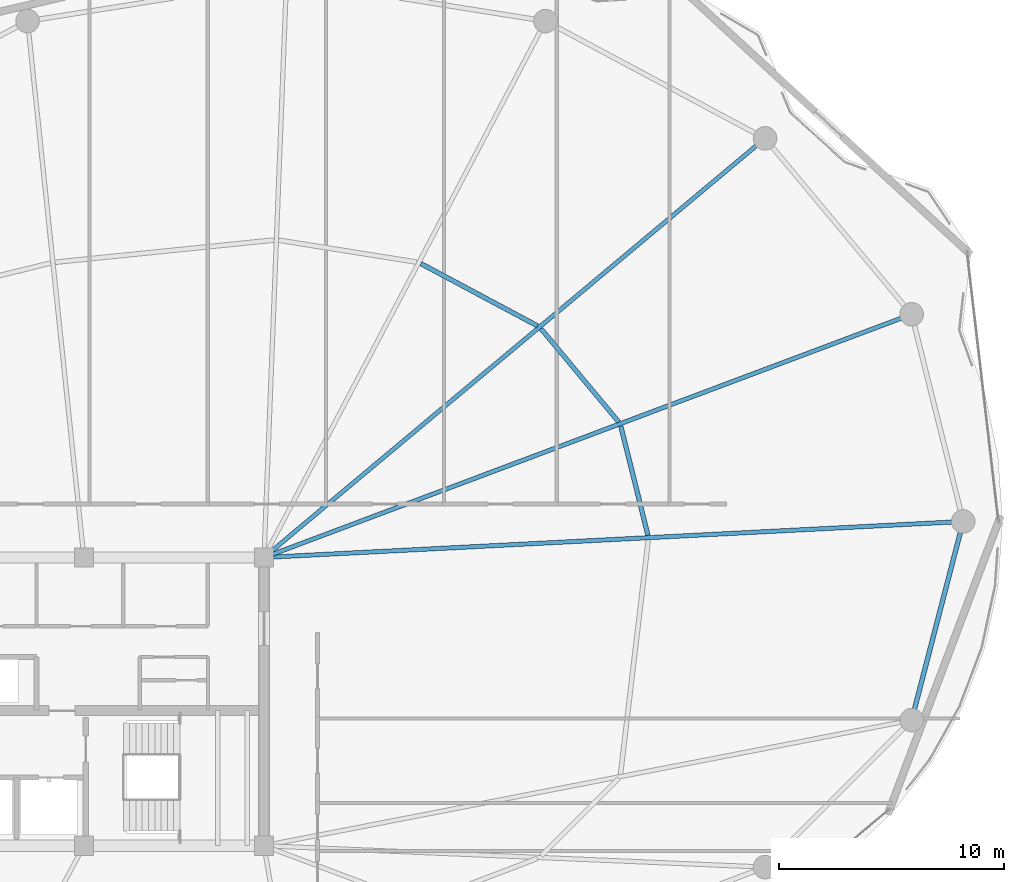
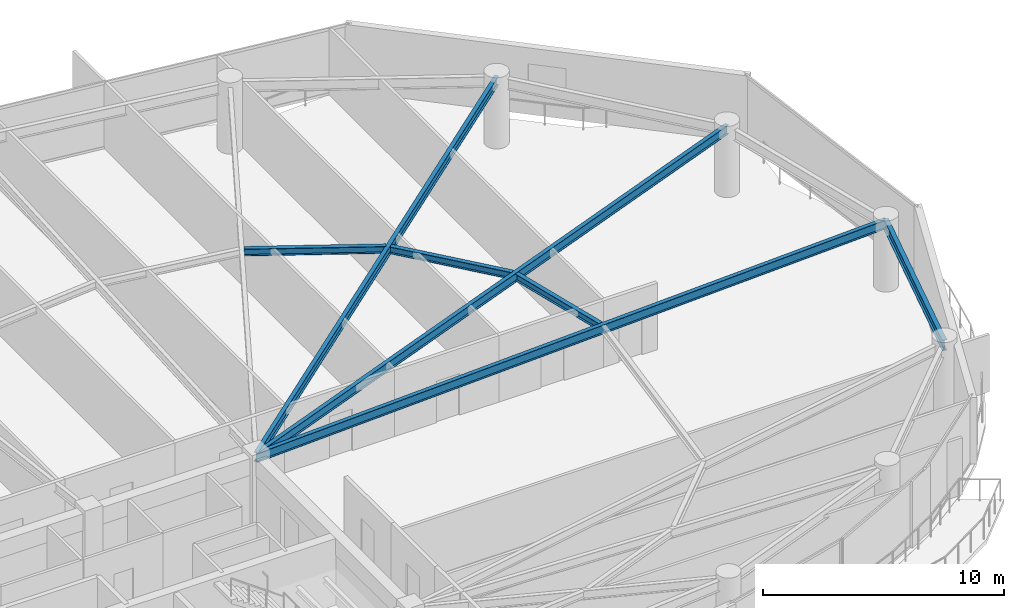
# One storey, part 15 of 31: 7 beams.
"""IFC4 building model written with IfcOpenShell, lengths in metres."""

from ifc_helpers import new_model, si_unit, direction, frame, origin, origin_2d, place, context, subcontext, project, spatial, i_section, extrude, material, material_profile, profile_set, type_object, element, save


model = new_model("IFC4")

# Units and contexts
model_context = context("Model", 3, precision=1e-05, world=origin(), true_north=direction((0.0, 1.0)))
body_context = subcontext(model_context, "Body", "Model", "MODEL_VIEW")
ifc_project = project(units=[si_unit("LENGTHUNIT", "METRE"), si_unit("AREAUNIT", "SQUARE_METRE"), si_unit("VOLUMEUNIT", "CUBIC_METRE"), si_unit("PLANEANGLEUNIT", "RADIAN"), si_unit("MASSUNIT", "GRAM", prefix="KILO")], contexts=[model_context])

# Site, building, storey
site_placement = place(None, origin())
site = spatial("IfcSite", under=ifc_project, at=site_placement, CompositionType="ELEMENT")
building_placement = place(site_placement, origin())
building = spatial("IfcBuilding", under=site, at=building_placement, Name="Kazevale Care Tower and Concert Hall", CompositionType="ELEMENT")
storey_placement = place(building_placement, frame((0.0, 0.0, 202.800048828125)))
storey = spatial("IfcBuildingStorey", under=building, at=storey_placement, Name="L53", CompositionType="ELEMENT", Elevation=202.800048828125)

# Beams
ifc_material = material(Name="Steel ASTM A572 Gr 50", Category="steel")
ifc_material_profile_1 = material_profile(ifc_material, i_section(OverallWidth=0.19091796875, OverallDepth=0.4599609375, WebThickness=0.010009765625, FlangeThickness=0.01611328125, at=origin_2d()), Name="W460x82")
ifc_profile_set_1 = profile_set([ifc_material_profile_1], Name="Steel ASTM A572 Gr 50")
beam_type_1 = type_object("IfcBeamType", Name="Radial Floor Beam W460x82", PredefinedType="BEAM", material=ifc_profile_set_1)
beam_1_placement = place(storey_placement, frame((44.0, 36.39990234375, 3.1298828125), z_axis=(0.998674821251, 0.051464564506, 0.0), x_axis=(-0.051464564506, 0.998674821251, 0.0)))
element("IfcBeam", 1, at=beam_1_placement, inside=storey, type_object=beam_type_1, Name="beam:L53:rad:01", PredefinedType="BEAM", context=body_context, shape_type="SweptSolid", body=[
    extrude(i_section(OverallWidth=0.19091796875, OverallDepth=0.4599609375, WebThickness=0.010009765625, FlangeThickness=0.01611328125, at=origin_2d()), origin(), (0.0, 0.0, 1.0), 31.09130859375),
])
beam_2_placement = place(storey_placement, frame((44.0, 36.39990234375, 3.1298828125), z_axis=(0.936168070124, 0.351552762015, 0.0), x_axis=(-0.351552762015, 0.936168070124, 0.0)))
element("IfcBeam", 2, at=beam_2_placement, inside=storey, type_object=beam_type_1, Name="beam:L53:rad:02", PredefinedType="BEAM", context=body_context, shape_type="SweptSolid", body=[
    extrude(i_section(OverallWidth=0.19091796875, OverallDepth=0.4599609375, WebThickness=0.010009765625, FlangeThickness=0.01611328125, at=origin_2d()), origin(), (0.0, 0.0, 1.0), 30.720947265625),
])
beam_3_placement = place(storey_placement, frame((44.0, 36.39990234375, 3.1298828125), z_axis=(0.767059624015, 0.64157582031, 0.0), x_axis=(-0.64157582031, 0.767059624015, 0.0)))
element("IfcBeam", 3, at=beam_3_placement, inside=storey, type_object=beam_type_1, Name="beam:L53:rad:03", PredefinedType="BEAM", context=body_context, shape_type="SweptSolid", body=[
    extrude(i_section(OverallWidth=0.19091796875, OverallDepth=0.4599609375, WebThickness=0.010009765625, FlangeThickness=0.01611328125, at=origin_2d()), origin(), (0.0, 0.0, 1.0), 29.0068359375),
])
ifc_material_profile_2 = material_profile(ifc_material, i_section(OverallWidth=0.205078125, OverallDepth=0.35400390625, WebThickness=0.009521484375, FlangeThickness=0.016845703125, at=origin_2d()), Name="W360x79")
ifc_profile_set_2 = profile_set([ifc_material_profile_2], Name="Steel ASTM A572 Gr 50")
beam_type_2 = type_object("IfcBeamType", Name="Secondary Floor Joist W360x79", PredefinedType="JOIST", material=ifc_profile_set_2)
beam_4_placement = place(storey_placement, frame((61.052001953125, 37.382080078125, 3.182861328125), z_axis=(-0.241594204931, 0.970377369967, 0.0), x_axis=(-0.970377369967, -0.241594204931, 0.0)))
element("IfcBeam", 4, at=beam_4_placement, inside=storey, type_object=beam_type_2, Name="beam:L53:joist:01", PredefinedType="JOIST", context=body_context, shape_type="SweptSolid", body=[
    extrude(i_section(OverallWidth=0.205078125, OverallDepth=0.35400390625, WebThickness=0.009521484375, FlangeThickness=0.016845703125, at=origin_2d()), origin(), (0.0, 0.0, 1.0), 5.004150390625),
])
beam_5_placement = place(storey_placement, frame((59.7509765625, 42.4208984375, 3.182861328125), z_axis=(-0.640295940788, 0.768128314939, 0.0), x_axis=(-0.768128314939, -0.640295940788, 0.0)))
element("IfcBeam", 5, at=beam_5_placement, inside=storey, type_object=beam_type_2, Name="beam:L53:joist:02", PredefinedType="JOIST", context=body_context, shape_type="SweptSolid", body=[
    extrude(i_section(OverallWidth=0.205078125, OverallDepth=0.35400390625, WebThickness=0.009521484375, FlangeThickness=0.016845703125, at=origin_2d()), origin(), (0.0, 0.0, 1.0), 5.3818359375),
])
beam_6_placement = place(storey_placement, frame((56.14501953125, 46.68505859375, 3.182861328125), z_axis=(-0.881943890935, 0.471354403016, 0.0), x_axis=(-0.471354403016, -0.881943890935, 0.0)))
element("IfcBeam", 6, at=beam_6_placement, inside=storey, type_object=beam_type_2, Name="beam:L53:joist:03", PredefinedType="JOIST", context=body_context, shape_type="SweptSolid", body=[
    extrude(i_section(OverallWidth=0.205078125, OverallDepth=0.35400390625, WebThickness=0.009521484375, FlangeThickness=0.016845703125, at=origin_2d()), origin(), (0.0, 0.0, 1.0), 5.869873046875),
])
ifc_material_profile_3 = material_profile(ifc_material, i_section(OverallWidth=0.208984375, OverallDepth=0.532958984375, WebThickness=0.01025390625, FlangeThickness=0.015625, at=origin_2d()), Name="W530x92")
ifc_profile_set_3 = profile_set([ifc_material_profile_3], Name="Steel ASTM A572 Gr 50")
beam_type_3 = type_object("IfcBeamType", Name="Upper Ring Beam W530x92", PredefinedType="BEAM", material=ifc_profile_set_3)
beam_7_placement = place(storey_placement, frame((72.760009765625, 29.179931640625, 3.093505859375), z_axis=(0.251307095899, 0.96790740443, 0.0), x_axis=(-0.96790740443, 0.251307095899, 0.0)))
element("IfcBeam", 7, at=beam_7_placement, inside=storey, type_object=beam_type_3, Name="beam:L53:ring:16", PredefinedType="BEAM", context=body_context, shape_type="SweptSolid", body=[
    extrude(i_section(OverallWidth=0.208984375, OverallDepth=0.532958984375, WebThickness=0.01025390625, FlangeThickness=0.015625, at=origin_2d()), origin(), (0.0, 0.0, 1.0), 9.112548828125),
])

save(model, "model.ifc")
